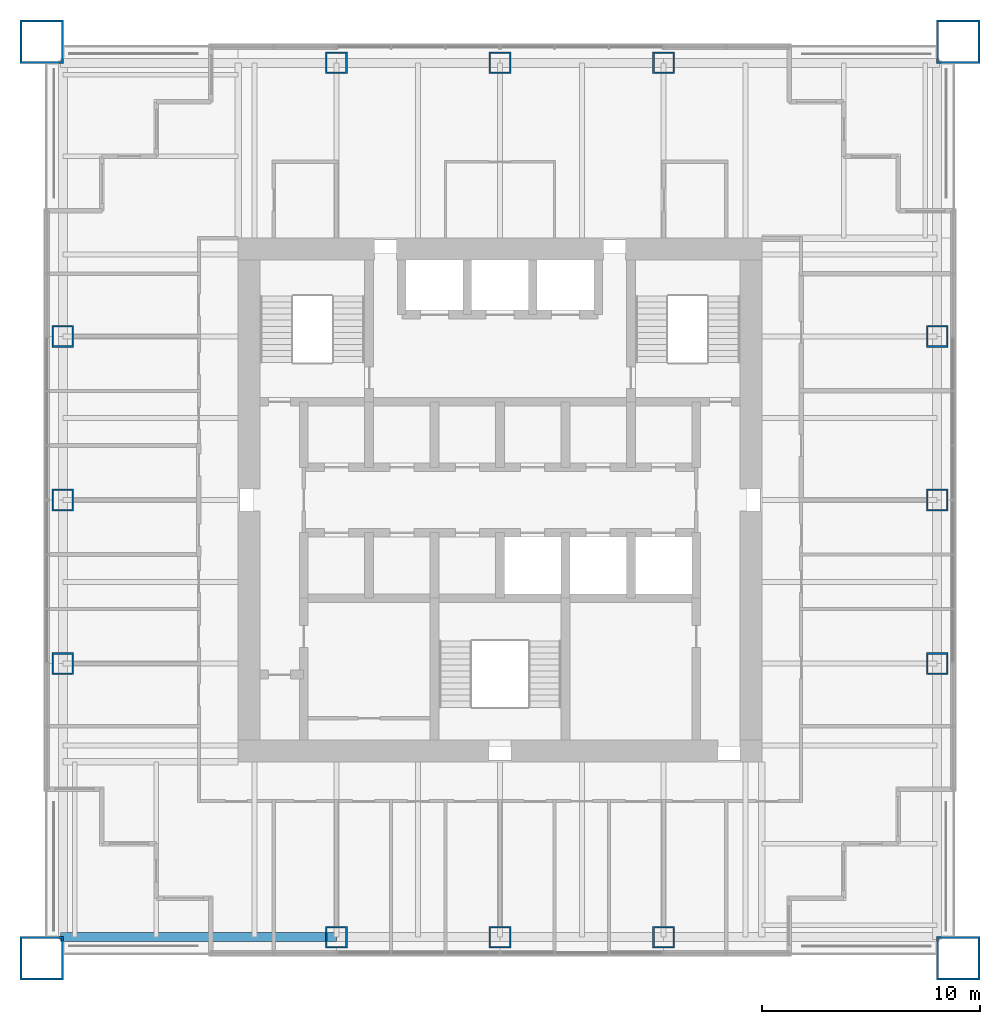
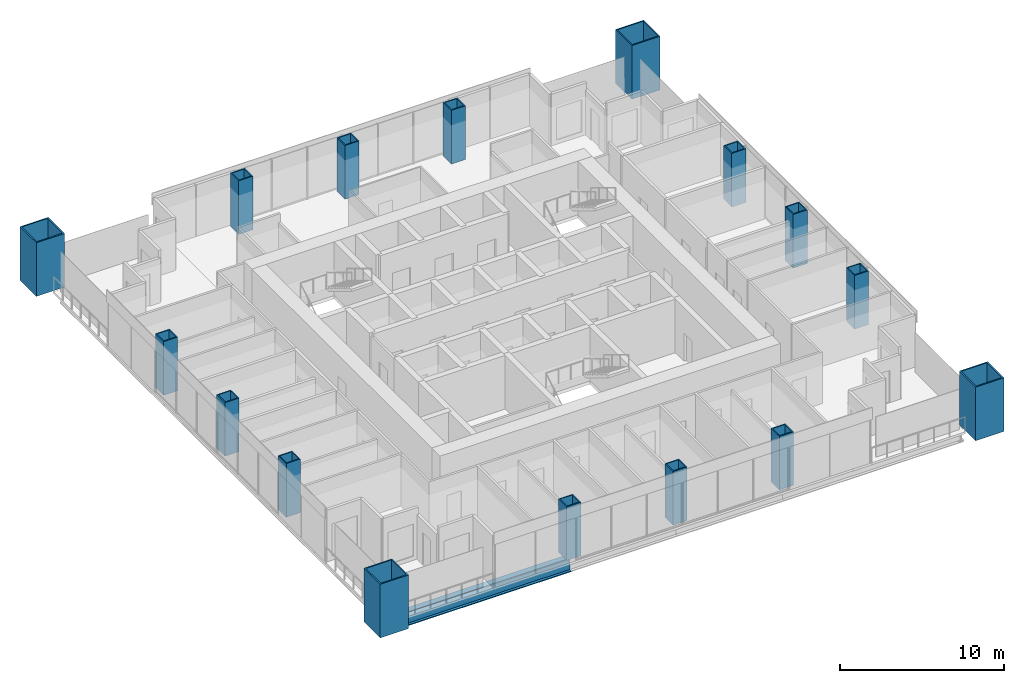
# One storey, part 1 of 14: 16 columns, 1 beam.
"""IFC4 building model written with IfcOpenShell, lengths in metres."""

from ifc_helpers import new_model, si_unit, direction, frame, origin, origin_2d, place, context, subcontext, project, spatial, hollow_rectangle, i_section, extrude, material, material_profile, profile_set, type_object, element, save


model = new_model("IFC4")

# Units and contexts
model_context = context("Model", 3, precision=1e-05, world=origin(), true_north=direction((0.0, 1.0)))
body_context = subcontext(model_context, "Body", "Model", "MODEL_VIEW")
ifc_project = project(units=[si_unit("LENGTHUNIT", "METRE"), si_unit("AREAUNIT", "SQUARE_METRE"), si_unit("VOLUMEUNIT", "CUBIC_METRE"), si_unit("PLANEANGLEUNIT", "RADIAN"), si_unit("MASSUNIT", "GRAM", prefix="KILO")], contexts=[model_context])

# Site, building, storey
site_placement = place(None, origin())
site = spatial("IfcSite", under=ifc_project, at=site_placement, CompositionType="ELEMENT")
building_placement = place(site_placement, origin())
building = spatial("IfcBuilding", under=site, at=building_placement, Name="Tarangal Relay Tower", CompositionType="ELEMENT")
storey_placement = place(building_placement, frame((0.0, 0.0, 303.89990234375)))
storey = spatial("IfcBuildingStorey", under=building, at=storey_placement, Name="L67", CompositionType="ELEMENT", Elevation=303.89990234375)

# Columns
ifc_material_1 = material(Name="Steel ASTM A572 Grade 50", Category="steel")
ifc_material_profile_1 = material_profile(ifc_material_1, hollow_rectangle(XDim=2.0, YDim=2.0, WallThickness=0.094970703125, at=origin_2d()), Name="BOX2000X2000X95")
ifc_profile_set_1 = profile_set([ifc_material_profile_1], Name="Steel ASTM A572 Grade 50")
column_type_1 = type_object("IfcColumnType", Name="Mega column BOX2000X2000X95", PredefinedType="COLUMN", material=ifc_profile_set_1)
for number, where, z_axis, x_axis, name in (
    (1, (21.0, 21.0, 0.0), (0.0, 0.0, 1.0), (1.0, 0.0, 0.0), "Mega column MC4 NE L67"),
    (2, (21.0, -21.0, 0.0), (0.0, 0.0, 1.0), (1.0, 0.0, 0.0), "Mega column MC4 SE L67"),
    (3, (-21.0, -21.0, 0.0), (0.0, 0.0, 1.0), (1.0, 0.0, 0.0), "Mega column MC4 SW L67"),
    (4, (-21.0, 21.0, 0.0), (0.0, 0.0, 1.0), (1.0, 0.0, 0.0), "Mega column MC4 NW L67"),
):
    element("IfcColumn", number, at=place(storey_placement, frame(where, z_axis=z_axis, x_axis=x_axis)), inside=storey, type_object=column_type_1, Name=name, PredefinedType="COLUMN", context=body_context, shape_type="SweptSolid", body=[
        extrude(hollow_rectangle(XDim=2.0, YDim=2.0, WallThickness=0.094970703125, at=origin_2d()), origin(), (0.0, 0.0, 1.0), 4.0),
    ])
ifc_material_profile_2 = material_profile(ifc_material_1, hollow_rectangle(XDim=1.0, YDim=1.0, WallThickness=0.074951171875, at=origin_2d()), Name="BOX1000X1000X75")
ifc_profile_set_2 = profile_set([ifc_material_profile_2], Name="Steel ASTM A572 Grade 50")
column_type_2 = type_object("IfcColumnType", Name="Perimeter column BOX1000X1000X75", PredefinedType="COLUMN", material=ifc_profile_set_2)
for number, where, z_axis, x_axis, name in (
    (5, (-7.5, 20.0400390625, 0.0), (0.0, 0.0, 1.0), (1.0, 0.0, 0.0), "Perimeter column PC5 N L67"),
    (6, (0.0, 20.0400390625, 0.0), (0.0, 0.0, 1.0), (1.0, 0.0, 0.0), "Perimeter column PC5 N L67"),
    (7, (7.5, 20.0400390625, 0.0), (0.0, 0.0, 1.0), (1.0, 0.0, 0.0), "Perimeter column PC5 N L67"),
    (8, (20.0400390625, 7.5, 0.0), (0.0, 0.0, 1.0), (1.0, 0.0, 0.0), "Perimeter column PC5 E L67"),
    (9, (20.0400390625, 0.0, 0.0), (0.0, 0.0, 1.0), (1.0, 0.0, 0.0), "Perimeter column PC5 E L67"),
    (10, (20.0400390625, -7.5, 0.0), (0.0, 0.0, 1.0), (1.0, 0.0, 0.0), "Perimeter column PC5 E L67"),
    (11, (7.5, -20.0400390625, 0.0), (0.0, 0.0, 1.0), (1.0, 0.0, 0.0), "Perimeter column PC5 S L67"),
    (12, (0.0, -20.0400390625, 0.0), (0.0, 0.0, 1.0), (1.0, 0.0, 0.0), "Perimeter column PC5 S L67"),
    (13, (-7.5, -20.0400390625, 0.0), (0.0, 0.0, 1.0), (1.0, 0.0, 0.0), "Perimeter column PC5 S L67"),
    (14, (-20.0400390625, -7.5, 0.0), (0.0, 0.0, 1.0), (1.0, 0.0, 0.0), "Perimeter column PC5 W L67"),
    (15, (-20.0400390625, 0.0, 0.0), (0.0, 0.0, 1.0), (1.0, 0.0, 0.0), "Perimeter column PC5 W L67"),
    (16, (-20.0400390625, 7.5, 0.0), (0.0, 0.0, 1.0), (1.0, 0.0, 0.0), "Perimeter column PC5 W L67"),
):
    element("IfcColumn", number, at=place(storey_placement, frame(where, z_axis=z_axis, x_axis=x_axis)), inside=storey, type_object=column_type_2, Name=name, PredefinedType="COLUMN", context=body_context, shape_type="SweptSolid", body=[
        extrude(hollow_rectangle(XDim=1.0, YDim=1.0, WallThickness=0.074951171875, at=origin_2d()), origin(), (0.0, 0.0, 1.0), 4.0),
    ])

# Beam
ifc_material_2 = material(Name="Steel ASTM A992", Category="steel")
ifc_material_profile_3 = material_profile(ifc_material_2, i_section(OverallWidth=0.41162109375, OverallDepth=1.049072265625, WebThickness=0.033935546875, FlangeThickness=0.059814453125, at=origin_2d()), Name="W40X431")
ifc_profile_set_3 = profile_set([ifc_material_profile_3], Name="Steel ASTM A992")
beam_type = type_object("IfcBeamType", Name="Edge girder W40X431", PredefinedType="SPANDREL", material=ifc_profile_set_3)
beam_placement = place(storey_placement, frame((-7.5, -20.0400390625, -0.67431640625), z_axis=(-1.0, 0.0, 0.0), x_axis=(0.0, -1.0, 0.0)))
element("IfcBeam", 17, at=beam_placement, inside=storey, type_object=beam_type, Name="Edge girder EG1 S L67", PredefinedType="SPANDREL", context=body_context, shape_type="SweptSolid", body=[
    extrude(i_section(OverallWidth=0.41162109375, OverallDepth=1.049072265625, WebThickness=0.033935546875, FlangeThickness=0.059814453125, at=origin_2d()), origin(), (0.0, 0.0, 1.0), 12.64990234375),
])

save(model, "model.ifc")
